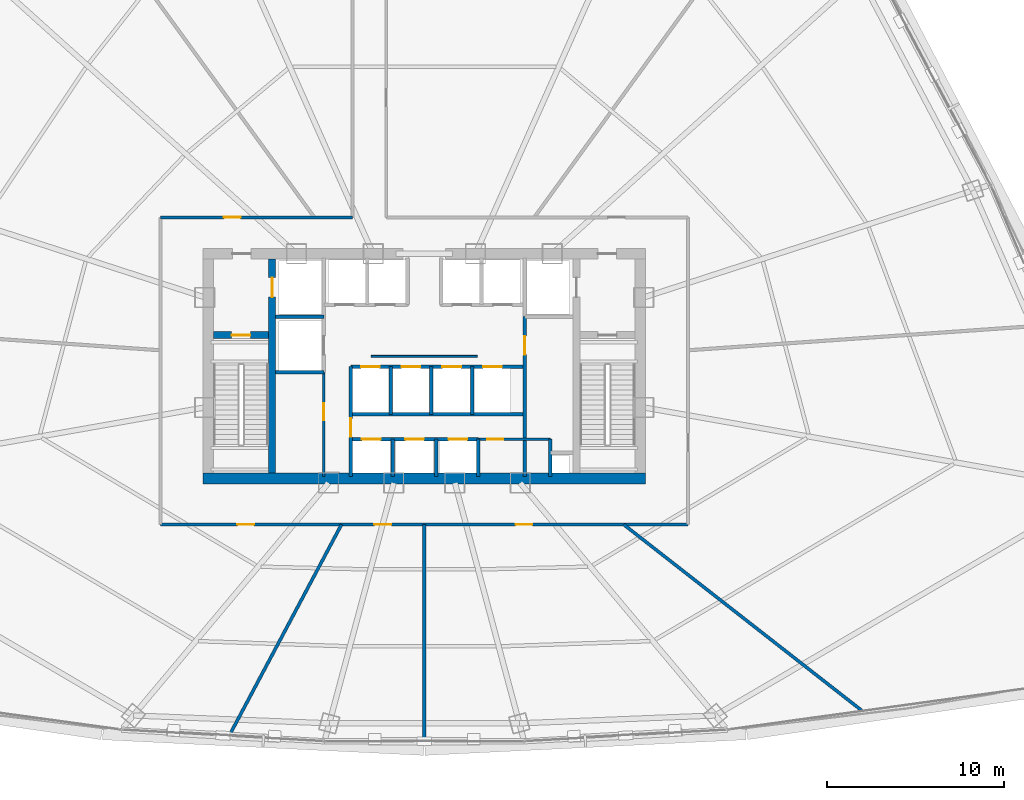
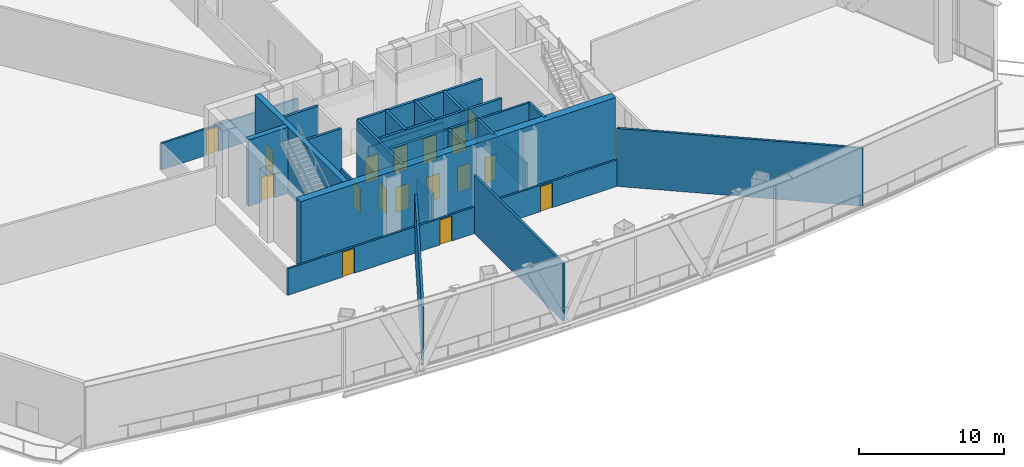
# One storey, part 28 of 36: 25 walls, 17 doors, 17 openings.
"""IFC4 building model written with IfcOpenShell, lengths in metres."""

import ifcopenshell
import ifcopenshell.guid

model = None  # the IFC model being written
_history = None  # IfcOwnerHistory: only IFC2X3 demands one
_inside = {}  # id of a spatial element -> (the spatial element, [elements in it])
_under = {}  # id of a project, library or spatial element -> (it, [spatial elements below it])
_declared = {}  # id of a project -> (the project, [libraries it declares])
_typed = {}  # id of a type object -> (the type object, [elements of that type])
_made_of = {}  # id of a material, layer set ... -> (it, [elements and type objects made of it])


def new_model(schema):
    """Start an empty IFC model of exactly this schema.

    Asked for "IFC4X3", IfcOpenShell would pick the latest addendum, in which some entities
    have other attributes; the version numbers below select the first issue.
    IFC2X3 requires an IfcOwnerHistory on every rooted entity: one is made here for all.
    """
    global model, _history
    if schema == "IFC4X3":
        model = ifcopenshell.file(schema_version=(4, 3, 0, 0))
    else:
        model = ifcopenshell.file(schema=schema)
    _inside.clear()
    _under.clear()
    _declared.clear()
    _typed.clear()
    _made_of.clear()
    _history = None
    if model.schema == "IFC2X3":
        org = make("IfcOrganization", Name="unknown")
        user = make(
            "IfcPersonAndOrganization",
            ThePerson=make("IfcPerson", FamilyName="unknown"),
            TheOrganization=org,
        )
        app = make(
            "IfcApplication",
            ApplicationDeveloper=org,
            Version="unknown",
            ApplicationFullName="unknown",
            ApplicationIdentifier="unknown",
        )
        _history = make(
            "IfcOwnerHistory",
            OwningUser=user,
            OwningApplication=app,
            ChangeAction="ADDED",
            CreationDate=0,
        )
    return model


def make(cls, **values):
    """One entity of the class cls with the attributes given. An attribute that is None is left unset."""
    return model.create_entity(
        cls, **{name: value for name, value in values.items() if value is not None}
    )


def rooted(cls, **values):
    """An entity with a GlobalId (a new one), such as an element, a storey or a relation."""
    return make(cls, GlobalId=ifcopenshell.guid.new(), OwnerHistory=_history, **values)


def si_unit(unit_type, name, prefix=None):
    """IfcSIUnit, for example si_unit("LENGTHUNIT", "METRE", prefix="MILLI")."""
    return make("IfcSIUnit", UnitType=unit_type, Prefix=prefix, Name=name)


def assignment(units):
    """IfcUnitAssignment: the units of a project."""
    return None if units is None else make("IfcUnitAssignment", Units=units)


def point(xyz):
    """IfcCartesianPoint."""
    return None if xyz is None else make("IfcCartesianPoint", Coordinates=xyz)


def direction(xyz):
    """IfcDirection."""
    return None if xyz is None else make("IfcDirection", DirectionRatios=xyz)


def frame(location, z_axis=None, x_axis=None):
    """IfcAxis2Placement3D, a coordinate frame: its origin and axes. An axis left out is left unset."""
    return make(
        "IfcAxis2Placement3D",
        Location=point(location),
        Axis=direction(z_axis),
        RefDirection=direction(x_axis),
    )


def frame_2d(location, x_axis=None):
    """IfcAxis2Placement2D, a coordinate frame in the plane: its origin and x axis."""
    return make(
        "IfcAxis2Placement2D", Location=point(location), RefDirection=direction(x_axis)
    )


def origin():
    """The frame at (0, 0, 0) with its axes left unset."""
    return frame((0.0, 0.0, 0.0))


def origin_with_axes():
    """The frame at (0, 0, 0) with the z axis (0, 0, 1) and the x axis (1, 0, 0) written out."""
    return frame((0.0, 0.0, 0.0), z_axis=(0.0, 0.0, 1.0), x_axis=(1.0, 0.0, 0.0))


def place(relative_to, where):
    """IfcLocalPlacement: puts the frame where relative to a parent placement (None: the world)."""
    return make(
        "IfcLocalPlacement", PlacementRelTo=relative_to, RelativePlacement=where
    )


def context(
    kind, dimensions, precision=None, world=None, true_north=None, identifier=None
):
    """IfcGeometricRepresentationContext, for example the 3D "Model" context."""
    return make(
        "IfcGeometricRepresentationContext",
        ContextIdentifier=identifier,
        ContextType=kind,
        CoordinateSpaceDimension=dimensions,
        Precision=precision,
        WorldCoordinateSystem=world,
        TrueNorth=true_north,
    )


def subcontext(parent, identifier, kind, view, scale=None):
    """IfcGeometricRepresentationSubContext, for example "Body" below "Model"."""
    return make(
        "IfcGeometricRepresentationSubContext",
        ContextIdentifier=identifier,
        ContextType=kind,
        ParentContext=parent,
        TargetScale=scale,
        TargetView=view,
    )


def project(units=None, contexts=None):
    """IfcProject with its units and contexts."""
    return rooted(
        "IfcProject",
        Name="project",
        RepresentationContexts=contexts,
        UnitsInContext=assignment(units),
    )


def spatial(cls, under=None, at=None, **own):
    """A site, building, storey or space (cls), placed at a placement, below another one or the project."""
    s = rooted(cls, ObjectPlacement=at, **own)
    if under is not None:
        _under.setdefault(under.id(), (under, []))[1].append(s)
    return s


def profile(cls, at=None, kind="AREA", **sizes):
    """A parametric profile (cls). Its sizes go by their IFC names, for example OverallWidth=200.0."""
    return make(cls, ProfileType=kind, Position=at, **sizes)


def rectangle(**sizes):
    """IfcRectangleProfileDef."""
    return profile("IfcRectangleProfileDef", **sizes)


def extrude(swept, where, along, depth):
    """IfcExtrudedAreaSolid: the profile swept, set in the frame where, extruded along a direction by depth."""
    return make(
        "IfcExtrudedAreaSolid",
        SweptArea=swept,
        Position=where,
        ExtrudedDirection=direction(along),
        Depth=depth,
    )


def shape(context_of_items, identifier, shape_type, items):
    """IfcShapeRepresentation: the items that make up one representation, for example the "Body"."""
    return make(
        "IfcShapeRepresentation",
        ContextOfItems=context_of_items,
        RepresentationIdentifier=identifier,
        RepresentationType=shape_type,
        Items=items,
    )


def source(mapping_origin, context_of_items, identifier, shape_type, items):
    """IfcRepresentationMap: a shape defined once, which mapped items show again and again."""
    return make(
        "IfcRepresentationMap",
        MappingOrigin=mapping_origin,
        MappedRepresentation=shape(context_of_items, identifier, shape_type, items),
    )


def transform(
    local_origin,
    x_axis=None,
    y_axis=None,
    z_axis=None,
    scale=None,
    scale2=None,
    scale3=None,
    uniform=True,
):
    """IfcCartesianTransformationOperator3D, or its non-uniform kind. x_axis, y_axis, z_axis: its Axis1, 2, 3."""
    if uniform:
        return make(
            "IfcCartesianTransformationOperator3D",
            Axis1=direction(x_axis),
            Axis2=direction(y_axis),
            LocalOrigin=point(local_origin),
            Scale=scale,
            Axis3=direction(z_axis),
        )
    return make(
        "IfcCartesianTransformationOperator3DnonUniform",
        Axis1=direction(x_axis),
        Axis2=direction(y_axis),
        LocalOrigin=point(local_origin),
        Scale=scale,
        Axis3=direction(z_axis),
        Scale2=scale2,
        Scale3=scale3,
    )


def mapped(mapping_source, mapping_target):
    """IfcMappedItem: shows the shape of a source again, moved by a transform."""
    return make(
        "IfcMappedItem", MappingSource=mapping_source, MappingTarget=mapping_target
    )


def material(Name=None, Category=None):
    """IfcMaterial."""
    return make("IfcMaterial", Name=Name, Category=Category)


def layer(
    of_material, thickness, ventilated=None, Name=None, Category=None, Priority=None
):
    """IfcMaterialLayer: one layer of a wall or slab, of a material (None: an air gap)."""
    return make(
        "IfcMaterialLayer",
        Material=of_material,
        LayerThickness=thickness,
        IsVentilated=ventilated,
        Name=Name,
        Category=Category,
        Priority=Priority,
    )


def layer_set(layers, Name=None):
    """IfcMaterialLayerSet."""
    return make("IfcMaterialLayerSet", MaterialLayers=layers, LayerSetName=Name)


def made_of(thing, what):
    """Note that an element or type object is made of a material, layer set ...; save() writes the relation."""
    if what is not None:
        _made_of.setdefault(what.id(), (what, []))[1].append(thing)
    return thing


def type_object(cls, material=None, **own):
    """A type object (cls), such as IfcWallType, which elements share."""
    return made_of(rooted(cls, **own), material)


def element(
    cls,
    number,
    at=None,
    inside=None,
    cuts=None,
    type_object=None,
    material=None,
    context=None,
    identifier="Body",
    shape_type=None,
    held_by="IfcProductDefinitionShape",
    body=None,
    shapes=None,
    **own,
):
    """One element of the class cls, such as IfcWall. Its Tag is "e" and its number.

    at: its placement. inside: the storey or other place that contains it. cuts: it is an
    opening in that element (IfcRelVoidsElement). A single representation is given by context,
    identifier, shape_type and body (its items); several are given by shapes. held_by: the class
    of the entity that holds the representations. save() writes the other relations.
    """
    e = rooted(cls, Tag="e%d" % number, ObjectPlacement=at, **own)
    if body is not None:
        shapes = [shape(context, identifier, shape_type, body)]
    if shapes is not None:
        e.Representation = make(held_by, Representations=shapes)
    if inside is not None:
        _inside.setdefault(inside.id(), (inside, []))[1].append(e)
    if cuts is not None:
        rooted(
            "IfcRelVoidsElement", RelatingBuildingElement=cuts, RelatedOpeningElement=e
        )
    if type_object is not None:
        _typed.setdefault(type_object.id(), (type_object, []))[1].append(e)
    return made_of(e, material)


def fill(opening, filler):
    """IfcRelFillsElement: the door or window that sits in an opening."""
    return rooted(
        "IfcRelFillsElement",
        RelatingOpeningElement=opening,
        RelatedBuildingElement=filler,
    )


def aggregate(whole, parts):
    """IfcRelAggregates: a whole, such as a stair, and the parts it consists of."""
    return rooted("IfcRelAggregates", RelatingObject=whole, RelatedObjects=parts)


def save(model, path):
    """Write the relations noted so far, then the file.

    IfcRelAggregates (storeys below a building ...), IfcRelContainedInSpatialStructure (elements
    in a storey), IfcRelDefinesByType, IfcRelAssociatesMaterial and IfcRelDeclares: one each for
    every whole, place, type object, material and project.
    """
    for whole, parts in _under.values():
        aggregate(whole, parts)
    for where, things in _inside.values():
        rooted(
            "IfcRelContainedInSpatialStructure",
            RelatedElements=things,
            RelatingStructure=where,
        )
    for kind, things in _typed.values():
        rooted("IfcRelDefinesByType", RelatedObjects=things, RelatingType=kind)
    for what, things in _made_of.values():
        rooted("IfcRelAssociatesMaterial", RelatedObjects=things, RelatingMaterial=what)
    for by, libraries in _declared.values():
        rooted("IfcRelDeclares", RelatingContext=by, RelatedDefinitions=libraries)
    model.write(path)


model = new_model("IFC4")

# Units and contexts
model_context = context("Model", 3, precision=1e-05, world=origin(), true_north=direction((0.0, 1.0)))
body_context = subcontext(model_context, "Body", "Model", "MODEL_VIEW")
ifc_project = project(units=[si_unit("LENGTHUNIT", "METRE"), si_unit("AREAUNIT", "SQUARE_METRE"), si_unit("VOLUMEUNIT", "CUBIC_METRE"), si_unit("PLANEANGLEUNIT", "RADIAN"), si_unit("MASSUNIT", "GRAM", prefix="KILO"), si_unit("THERMODYNAMICTEMPERATUREUNIT", "KELVIN"), si_unit("POWERUNIT", "WATT")], contexts=[model_context])

# Site, building, storey
site_placement = place(None, origin())
site = spatial("IfcSite", under=ifc_project, at=site_placement, CompositionType="ELEMENT")
building_placement = place(site_placement, origin())
building = spatial("IfcBuilding", under=site, at=building_placement, Name="Yunzhuo Pagoda Commons", CompositionType="ELEMENT")
storey_placement = place(building_placement, frame((0.0, 0.0, 119.179931640625)))
storey = spatial("IfcBuildingStorey", under=building, at=storey_placement, Name="L30", CompositionType="ELEMENT", Elevation=119.179931640625)

# Wall
ifc_material_1 = material(Name="Concrete C60", Category="concrete")
ifc_layer_1 = layer(ifc_material_1, 0.60009765625)
ifc_layer_set_1 = layer_set([ifc_layer_1], Name="Concrete C60")
wall_type_1 = type_object("IfcWallType", Name="W-C02 Mid Core Shear Wall 600", PredefinedType="SHEAR", material=ifc_layer_set_1)
wall_1_placement = place(storey_placement, frame((35.5, 27.5, 0.0), z_axis=(0.0, 0.0, 1.0), x_axis=(1.0, 0.0, 0.0)))
element("IfcWall", 1, at=wall_1_placement, inside=storey, type_object=wall_type_1, Name="L30 core shear wall S", PredefinedType="SHEAR", context=body_context, shape_type="SweptSolid", body=[
    extrude(rectangle(XDim=25.0, YDim=0.60009765625, at=frame_2d((12.5, 0.0))), origin(), (0.0, 0.0, 1.0), 5.570068359375),
])

# Wall, opening, door
ifc_material_2 = material(Name="Gypsum plasterboard on acoustic stud")
ifc_layer_2 = layer(ifc_material_2, 0.159912109375)
ifc_layer_set_2 = layer_set([ifc_layer_2], Name="Gypsum plasterboard on acoustic stud")
wall_type_2 = type_object("IfcWallType", Name="W-COR1 Tower Rated Corridor Wall 160", PredefinedType="PARTITIONING", material=ifc_layer_set_2)
wall_2_placement = place(storey_placement, frame((42.320068359375, 27.60009765625, 0.0), z_axis=(0.0, 0.0, 1.0), x_axis=(0.0, 1.0, 0.0)))
wall_2 = element("IfcWall", 2, at=wall_2_placement, inside=storey, type_object=wall_type_2, Name="L30 interior wall IW-L30-CSWE", PredefinedType="PARTITIONING", context=body_context, shape_type="SweptSolid", body=[
    extrude(rectangle(XDim=5.89990234375, YDim=0.159912109375, at=frame_2d((2.949951171875, 0.0))), origin(), (0.0, 0.0, 1.0), 2.219970703125),
])
opening_1_placement = place(wall_2_placement, frame((3.199951171875, 0.0, 0.0)))
opening_1 = element("IfcOpeningElement", 3, at=opening_1_placement, cuts=wall_2, Name="Opening D-11", PredefinedType="OPENING", context=body_context, shape_type="SweptSolid", body=[
    extrude(rectangle(XDim=0.93994140625, YDim=2.10009765625, at=frame_2d((0.469970703125, 1.050048828125))), frame((0.0, 0.08984375, 0.0), z_axis=(0.0, -1.0, 0.0), x_axis=(1.0, 0.0, 0.0)), (0.0, 0.0, 1.0), 0.179931640625),
])
ifc_material_3 = material(Name="Galvanized fire-resisting metal leaf")
door_type_1 = type_object("IfcDoorType", Name="D-11 Accessible Washroom Fire Door 940x2100", OperationType="NOTDEFINED", PredefinedType="DOOR", material=ifc_material_3)
shared_shape_1 = source(origin(), body_context, "Body", "SweptSolid", [
    extrude(rectangle(XDim=0.93994140625, YDim=2.10009765625, at=frame_2d((0.469970703125, 1.050048828125))), frame((0.0, 0.02490234375, 0.0), z_axis=(0.0, -1.0, 0.0), x_axis=(1.0, 0.0, 0.0)), (0.0, 0.0, 1.0), 0.050048828125),
])
door_1_placement = place(opening_1_placement, origin_with_axes())
door_1 = element("IfcDoor", 4, at=door_1_placement, inside=storey, type_object=door_type_1, Name="L30 core WC door", OperationType="SINGLE_SWING_LEFT", OverallHeight=2.10009765625, OverallWidth=0.93994140625, PredefinedType="DOOR", context=body_context, shape_type="MappedRepresentation", body=[
    mapped(shared_shape_1, transform((0.0, 0.0, 0.0), scale=1.0)),
])
fill(opening_1, door_1)

wall_3_placement = place(storey_placement, frame((51.050048828125, 29.719970703125, 0.0), z_axis=(0.0, 0.0, 1.0), x_axis=(1.0, 0.0, 0.0)))
wall_3 = element("IfcWall", 5, at=wall_3_placement, inside=storey, type_object=wall_type_2, Name="L30 interior wall IW-L30-CSES", PredefinedType="PARTITIONING", context=body_context, shape_type="SweptSolid", body=[
    extrude(rectangle(XDim=4.070068359375, YDim=0.159912109375, at=frame_2d((2.03515625, 0.0))), origin(), (0.0, 0.0, 1.0), 5.570068359375),
])
opening_2_placement = place(wall_3_placement, frame((0.5, 0.0, 0.0)))
opening_2 = element("IfcOpeningElement", 6, at=opening_2_placement, cuts=wall_3, Name="Opening D-03", PredefinedType="OPENING", context=body_context, shape_type="SweptSolid", body=[
    extrude(rectangle(XDim=0.89990234375, YDim=2.10009765625, at=frame_2d((0.449951171875, 1.050048828125))), frame((0.0, 0.08984375, 0.0), z_axis=(0.0, -1.0, 0.0), x_axis=(1.0, 0.0, 0.0)), (0.0, 0.0, 1.0), 0.179931640625),
])
door_type_2 = type_object("IfcDoorType", Name="D-03 Core Service Fire Door 900x2100", OperationType="NOTDEFINED", PredefinedType="DOOR", material=ifc_material_3)
shared_shape_2 = source(origin(), body_context, "Body", "SweptSolid", [
    extrude(rectangle(XDim=0.89990234375, YDim=2.10009765625, at=frame_2d((0.449951171875, 1.050048828125))), frame((0.0, 0.02490234375, 0.0), z_axis=(0.0, -1.0, 0.0), x_axis=(1.0, 0.0, 0.0)), (0.0, 0.0, 1.0), 0.050048828125),
])
door_2_placement = place(opening_2_placement, origin_with_axes())
door_2 = element("IfcDoor", 7, at=door_2_placement, inside=storey, type_object=door_type_2, Name="L30 cleaner store door", OperationType="SINGLE_SWING_LEFT", OverallHeight=2.10009765625, OverallWidth=0.89990234375, PredefinedType="DOOR", context=body_context, shape_type="MappedRepresentation", body=[
    mapped(shared_shape_2, transform((0.0, 0.0, 0.0), scale=1.0)),
])
fill(opening_2, door_2)

# Wall, openings, doors
wall_4_placement = place(storey_placement, frame((62.89990234375, 24.89990234375, 0.0), z_axis=(0.0, 0.0, 1.0), x_axis=(-1.0, 0.0, 0.0)))
wall_4 = element("IfcWall", 8, at=wall_4_placement, inside=storey, type_object=wall_type_2, Name="L30 interior wall IW-L30-SCW04", PredefinedType="PARTITIONING", context=body_context, shape_type="SweptSolid", body=[
    extrude(rectangle(XDim=29.7998046875, YDim=0.159912109375, at=frame_2d((14.89990234375, 0.0))), origin(), (0.0, 0.0, 1.0), 2.219970703125),
])
opening_3_placement = place(wall_4_placement, frame((24.514404296875, 0.0, 0.0)))
opening_3 = element("IfcOpeningElement", 9, at=opening_3_placement, cuts=wall_4, Name="Opening D-06", PredefinedType="OPENING", context=body_context, shape_type="SweptSolid", body=[
    extrude(rectangle(XDim=0.949951171875, YDim=2.10009765625, at=frame_2d((0.47509765625, 1.050048828125))), frame((0.0, 0.08984375, 0.0), z_axis=(0.0, -1.0, 0.0), x_axis=(1.0, 0.0, 0.0)), (0.0, 0.0, 1.0), 0.179931640625),
])
opening_4_placement = place(wall_4_placement, frame((16.764404296875, 0.0, 0.0)))
opening_4 = element("IfcOpeningElement", 10, at=opening_4_placement, cuts=wall_4, Name="Opening D-06", PredefinedType="OPENING", context=body_context, shape_type="SweptSolid", body=[
    extrude(rectangle(XDim=0.949951171875, YDim=2.10009765625, at=frame_2d((0.47509765625, 1.050048828125))), frame((0.0, 0.08984375, 0.0), z_axis=(0.0, -1.0, 0.0), x_axis=(1.0, 0.0, 0.0)), (0.0, 0.0, 1.0), 0.179931640625),
])
opening_5_placement = place(wall_4_placement, frame((8.793212890625, 0.0, 0.0)))
opening_5 = element("IfcOpeningElement", 11, at=opening_5_placement, cuts=wall_4, Name="Opening D-06", PredefinedType="OPENING", context=body_context, shape_type="SweptSolid", body=[
    extrude(rectangle(XDim=0.949951171875, YDim=2.10009765625, at=frame_2d((0.47509765625, 1.050048828125))), frame((0.0, 0.08984375, 0.0), z_axis=(0.0, -1.0, 0.0), x_axis=(1.0, 0.0, 0.0)), (0.0, 0.0, 1.0), 0.179931640625),
])
door_type_3 = type_object("IfcDoorType", Name="D-06 Co-Living Suite Entrance Fire Door 950x2100", OperationType="NOTDEFINED", PredefinedType="DOOR", material=ifc_material_3)
shared_shape_3 = source(origin(), body_context, "Body", "SweptSolid", [
    extrude(rectangle(XDim=0.949951171875, YDim=2.10009765625, at=frame_2d((0.47509765625, 1.050048828125))), frame((0.0, 0.02490234375, 0.0), z_axis=(0.0, -1.0, 0.0), x_axis=(1.0, 0.0, 0.0)), (0.0, 0.0, 1.0), 0.050048828125),
])
door_3_placement = place(opening_3_placement, origin_with_axes())
door_3 = element("IfcDoor", 12, at=door_3_placement, inside=storey, type_object=door_type_3, Name="L30 Academic Study Workroom door", OperationType="SINGLE_SWING_RIGHT", OverallHeight=2.10009765625, OverallWidth=0.949951171875, PredefinedType="DOOR", context=body_context, shape_type="MappedRepresentation", body=[
    mapped(shared_shape_3, transform((0.0, 0.0, 0.0), scale=1.0)),
])
fill(opening_3, door_3)
door_4_placement = place(opening_4_placement, origin_with_axes())
door_4 = element("IfcDoor", 13, at=door_4_placement, inside=storey, type_object=door_type_3, Name="L30 Reading and Tea Lounge door", OperationType="SINGLE_SWING_LEFT", OverallHeight=2.10009765625, OverallWidth=0.949951171875, PredefinedType="DOOR", context=body_context, shape_type="MappedRepresentation", body=[
    mapped(shared_shape_3, transform((0.0, 0.0, 0.0), scale=1.0)),
])
fill(opening_4, door_4)
door_5_placement = place(opening_5_placement, origin_with_axes())
door_5 = element("IfcDoor", 14, at=door_5_placement, inside=storey, type_object=door_type_3, Name="L30 Sky Lobby Study Lounge door", OperationType="SINGLE_SWING_RIGHT", OverallHeight=2.10009765625, OverallWidth=0.949951171875, PredefinedType="DOOR", context=body_context, shape_type="MappedRepresentation", body=[
    mapped(shared_shape_3, transform((0.0, 0.0, 0.0), scale=1.0)),
])
fill(opening_5, door_5)

# Wall, opening, door
wall_5_placement = place(storey_placement, frame((33.10009765625, 42.25, 0.0), z_axis=(0.0, 0.0, 1.0), x_axis=(1.0, 0.0, 0.0)))
wall_5 = element("IfcWall", 15, at=wall_5_placement, inside=storey, type_object=wall_type_2, Name="L30 interior wall IW-L30-SCW06", PredefinedType="PARTITIONING", context=body_context, shape_type="SweptSolid", body=[
    extrude(rectangle(XDim=10.849853515625, YDim=0.159912109375, at=frame_2d((5.4248046875, 0.0))), origin(), (0.0, 0.0, 1.0), 2.219970703125),
])
opening_6_placement = place(wall_5_placement, frame((3.569091796875, 0.0, 0.0)))
opening_6 = element("IfcOpeningElement", 16, at=opening_6_placement, cuts=wall_5, Name="Opening D-06", PredefinedType="OPENING", context=body_context, shape_type="SweptSolid", body=[
    extrude(rectangle(XDim=0.949951171875, YDim=2.10009765625, at=frame_2d((0.47509765625, 1.050048828125))), frame((0.0, 0.08984375, 0.0), z_axis=(0.0, -1.0, 0.0), x_axis=(1.0, 0.0, 0.0)), (0.0, 0.0, 1.0), 0.179931640625),
])
door_6_placement = place(opening_6_placement, origin_with_axes())
door_6 = element("IfcDoor", 17, at=door_6_placement, inside=storey, type_object=door_type_3, Name="L30 Shared Communal Kitchen and Pantry door", OperationType="SINGLE_SWING_LEFT", OverallHeight=2.10009765625, OverallWidth=0.949951171875, PredefinedType="DOOR", context=body_context, shape_type="MappedRepresentation", body=[
    mapped(shared_shape_3, transform((0.0, 0.0, 0.0), scale=1.0)),
])
fill(opening_6, door_6)

# Walls
ifc_material_4 = material(Name="Anodized aluminium 6063-T6", Category="aluminium")
ifc_layer_3 = layer(ifc_material_4, 0.110107421875)
ifc_layer_set_3 = layer_set([ifc_layer_3], Name="Anodized aluminium 6063-T6")
wall_type_3 = type_object("IfcWallType", Name="W-MOV1 Operable Seminar Partition 110", PredefinedType="MOVABLE", material=ifc_layer_set_3)
wall_6_placement = place(storey_placement, frame((45.0, 34.39990234375, 0.0), z_axis=(0.0, 0.0, 1.0), x_axis=(1.0, 0.0, 0.0)))
element("IfcWall", 18, at=wall_6_placement, inside=storey, type_object=wall_type_3, Name="L30 acoustic movable lobby screen", PredefinedType="MOVABLE", context=body_context, shape_type="SweptSolid", body=[
    extrude(rectangle(XDim=6.0, YDim=0.110107421875, at=frame_2d((3.0, 0.0))), origin(), (0.0, 0.0, 1.0), 2.5),
])
ifc_layer_4 = layer(ifc_material_2, 0.179931640625)
ifc_layer_set_4 = layer_set([ifc_layer_4], Name="Gypsum plasterboard on acoustic stud")
wall_type_4 = type_object("IfcWallType", Name="W-PRT2 Acoustic Unit Demising Wall 180", PredefinedType="PARTITIONING", material=ifc_layer_set_4)
wall_7_placement = place(storey_placement, frame((43.321044921875, 24.89990234375, 0.0), z_axis=(0.0, 0.0, 1.0), x_axis=(-0.46948390868, -0.88294102832, 0.0)))
element("IfcWall", 19, at=wall_7_placement, inside=storey, type_object=wall_type_4, Name="L30 interior wall IW-L30-SRAD5", PredefinedType="PARTITIONING", context=body_context, shape_type="SweptSolid", body=[
    extrude(rectangle(XDim=13.521484375, YDim=0.179931640625, at=frame_2d((6.7607421875, 0.0))), origin(), (0.0, 0.0, 1.0), 4.8701171875),
])
wall_8_placement = place(storey_placement, frame((48.0, 24.89990234375, 0.0), z_axis=(0.0, 0.0, 1.0), x_axis=(0.0, -1.0, 0.0)))
element("IfcWall", 20, at=wall_8_placement, inside=storey, type_object=wall_type_4, Name="L30 interior wall IW-L30-SRAD6", PredefinedType="PARTITIONING", context=body_context, shape_type="SweptSolid", body=[
    extrude(rectangle(XDim=12.24560546875, YDim=0.179931640625, at=frame_2d((6.122802734375, 0.0))), origin(), (0.0, 0.0, 1.0), 4.8701171875),
])
wall_9_placement = place(storey_placement, frame((59.263427734375, 24.89990234375, 0.0), z_axis=(0.0, 0.0, 1.0), x_axis=(0.788013994076, -0.615657327692, 0.0)))
element("IfcWall", 21, at=wall_9_placement, inside=storey, type_object=wall_type_4, Name="L30 interior wall IW-L30-SRAD7", PredefinedType="PARTITIONING", context=body_context, shape_type="SweptSolid", body=[
    extrude(rectangle(XDim=17.11669921875, YDim=0.179931640625, at=frame_2d((8.558349609375, 0.0))), origin(), (0.0, 0.0, 1.0), 4.8701171875),
])

# Wall, opening, door
ifc_layer_5 = layer(ifc_material_1, 0.39990234375)
ifc_layer_set_5 = layer_set([ifc_layer_5], Name="Concrete C60")
wall_type_5 = type_object("IfcWallType", Name="W-S01 Internal Core Shear Web 400", PredefinedType="SHEAR", material=ifc_layer_set_5)
wall_10_placement = place(storey_placement, frame((39.39990234375, 27.800048828125, 0.0), z_axis=(0.0, 0.0, 1.0), x_axis=(0.0, 1.0, 0.0)))
wall_10 = element("IfcWall", 22, at=wall_10_placement, inside=storey, type_object=wall_type_5, Name="L30 core shear wall WEBW", PredefinedType="SHEAR", context=body_context, shape_type="SweptSolid", body=[
    extrude(rectangle(XDim=12.099853515625, YDim=0.39990234375, at=frame_2d((6.0498046875, 0.0))), origin(), (0.0, 0.0, 1.0), 5.570068359375),
])
opening_7_placement = place(wall_10_placement, frame((9.949951171875, 0.0, 0.0)))
opening_7 = element("IfcOpeningElement", 23, at=opening_7_placement, cuts=wall_10, Name="Opening LD-01", PredefinedType="OPENING", context=body_context, shape_type="SweptSolid", body=[
    extrude(rectangle(XDim=1.10009765625, YDim=2.10009765625, at=frame_2d((0.550048828125, 1.050048828125))), frame((0.0, 0.2099609375, 0.0), z_axis=(0.0, -1.0, 0.0), x_axis=(1.0, 0.0, 0.0)), (0.0, 0.0, 1.0), 0.419921875),
])
door_type_4 = type_object("IfcDoorType", Name="LD-01 Firefighting Lift Landing Door 1100x2100", OperationType="DOUBLE_DOOR_SLIDING", PredefinedType="DOOR", material=ifc_material_3)
shared_shape_4 = source(origin(), body_context, "Body", "SweptSolid", [
    extrude(rectangle(XDim=1.10009765625, YDim=2.10009765625, at=frame_2d((0.550048828125, 1.050048828125))), frame((0.0, 0.02490234375, 0.0), z_axis=(0.0, -1.0, 0.0), x_axis=(1.0, 0.0, 0.0)), (0.0, 0.0, 1.0), 0.050048828125),
])
door_7_placement = place(opening_7_placement, frame((1.10009765625, 0.0, 0.0), z_axis=(0.0, 0.0, 1.0), x_axis=(-1.0, 0.0, 0.0)))
door_7 = element("IfcDoor", 24, at=door_7_placement, inside=storey, type_object=door_type_4, Name="L30 Firefighting lift FL-1 landing door", OperationType="DOUBLE_DOOR_SLIDING", OverallHeight=2.10009765625, OverallWidth=1.10009765625, PredefinedType="DOOR", context=body_context, shape_type="MappedRepresentation", body=[
    mapped(shared_shape_4, transform((0.0, 0.0, 0.0), scale=1.0)),
])
fill(opening_7, door_7)

wall_11_placement = place(storey_placement, frame((36.10009765625, 35.60009765625, 0.0), z_axis=(0.0, 0.0, 1.0), x_axis=(1.0, 0.0, 0.0)))
wall_11 = element("IfcWall", 25, at=wall_11_placement, inside=storey, type_object=wall_type_5, Name="L30 core shear wall STW", PredefinedType="SHEAR", context=body_context, shape_type="SweptSolid", body=[
    extrude(rectangle(XDim=3.099853515625, YDim=0.39990234375, at=frame_2d((1.5498046875, 0.0))), origin(), (0.0, 0.0, 1.0), 5.570068359375),
])
opening_8_placement = place(wall_11_placement, frame((1.02001953125, 0.0, 0.0)))
opening_8 = element("IfcOpeningElement", 26, at=opening_8_placement, cuts=wall_11, Name="Opening D-01", PredefinedType="OPENING", context=body_context, shape_type="SweptSolid", body=[
    extrude(rectangle(XDim=1.050048828125, YDim=2.10009765625, at=frame_2d((0.52490234375, 1.050048828125))), frame((0.0, 0.2099609375, 0.0), z_axis=(0.0, -1.0, 0.0), x_axis=(1.0, 0.0, 0.0)), (0.0, 0.0, 1.0), 0.419921875),
])
door_type_5 = type_object("IfcDoorType", Name="D-01 Smokeproof Stair Fire Door 1050x2100", OperationType="NOTDEFINED", PredefinedType="DOOR", material=ifc_material_3)
shared_shape_5 = source(origin(), body_context, "Body", "SweptSolid", [
    extrude(rectangle(XDim=1.050048828125, YDim=2.10009765625, at=frame_2d((0.52490234375, 1.050048828125))), frame((0.0, 0.02490234375, 0.0), z_axis=(0.0, -1.0, 0.0), x_axis=(1.0, 0.0, 0.0)), (0.0, 0.0, 1.0), 0.050048828125),
])
door_8_placement = place(opening_8_placement, frame((1.050048828125, 0.0, 0.0), z_axis=(0.0, 0.0, 1.0), x_axis=(-1.0, 0.0, 0.0)))
door_8 = element("IfcDoor", 27, at=door_8_placement, inside=storey, type_object=door_type_5, Name="L30 Stair ST1 fire door", OperationType="SINGLE_SWING_LEFT", OverallHeight=2.10009765625, OverallWidth=1.050048828125, PredefinedType="DOOR", context=body_context, shape_type="MappedRepresentation", body=[
    mapped(shared_shape_5, transform((0.0, 0.0, 0.0), scale=1.0)),
])
fill(opening_8, door_8)

# Walls
ifc_material_5 = material(Name="Concrete C40", Category="concrete")
ifc_layer_6 = layer(ifc_material_5, 0.199951171875)
ifc_layer_set_6 = layer_set([ifc_layer_6], Name="Concrete C40")
wall_type_6 = type_object("IfcWallType", Name="W-SHF Shaft & Stair Enclosure Wall 200", PredefinedType="SOLIDWALL", material=ifc_layer_set_6)
for number, where, z_axis, x_axis, name in (
    (28, (39.60009765625, 36.64990234375, 0.0), (0.0, 0.0, 1.0), (1.0, 0.0, 0.0), "L30 interior wall IW-L30-FL1S"),
    (29, (39.60009765625, 33.5, 0.0), (0.0, 0.0, 1.0), (1.0, 0.0, 0.0), "L30 interior wall IW-L30-SL1S"),
):
    element("IfcWall", number, at=place(storey_placement, frame(where, z_axis=z_axis, x_axis=x_axis)), inside=storey, type_object=wall_type_6, Name=name, PredefinedType="SOLIDWALL", context=body_context, shape_type="SweptSolid", body=[
        extrude(rectangle(XDim=2.719970703125, YDim=0.199951171875, at=frame_2d((1.35986328125, 0.0))), origin(), (0.0, 0.0, 1.0), 5.570068359375),
    ])

# Wall, openings, doors
wall_12_placement = place(storey_placement, frame((43.85009765625, 33.820068359375, 0.0), z_axis=(0.0, 0.0, 1.0), x_axis=(1.0, 0.0, 0.0)))
wall_12 = element("IfcWall", 30, at=wall_12_placement, inside=storey, type_object=wall_type_6, Name="L30 interior wall IW-L30-MLBS", PredefinedType="SOLIDWALL", context=body_context, shape_type="SweptSolid", body=[
    extrude(rectangle(XDim=9.829833984375, YDim=0.199951171875, at=frame_2d((4.9150390625, 0.0))), origin(), (0.0, 0.0, 1.0), 5.570068359375),
])
opening_9_placement = place(wall_12_placement, frame((0.574951171875, 0.0, 0.0)))
opening_9 = element("IfcOpeningElement", 31, at=opening_9_placement, cuts=wall_12, Name="Opening LD-02", PredefinedType="OPENING", context=body_context, shape_type="SweptSolid", body=[
    extrude(rectangle(XDim=1.050048828125, YDim=2.10009765625, at=frame_2d((0.52490234375, 1.050048828125))), frame((0.0, 0.10986328125, 0.0), z_axis=(0.0, -1.0, 0.0), x_axis=(1.0, 0.0, 0.0)), (0.0, 0.0, 1.0), 0.219970703125),
])
opening_10_placement = place(wall_12_placement, frame((2.875, 0.0, 0.0)))
opening_10 = element("IfcOpeningElement", 32, at=opening_10_placement, cuts=wall_12, Name="Opening LD-02", PredefinedType="OPENING", context=body_context, shape_type="SweptSolid", body=[
    extrude(rectangle(XDim=1.050048828125, YDim=2.10009765625, at=frame_2d((0.52490234375, 1.050048828125))), frame((0.0, 0.10986328125, 0.0), z_axis=(0.0, -1.0, 0.0), x_axis=(1.0, 0.0, 0.0)), (0.0, 0.0, 1.0), 0.219970703125),
])
opening_11_placement = place(wall_12_placement, frame((5.175048828125, 0.0, 0.0)))
opening_11 = element("IfcOpeningElement", 33, at=opening_11_placement, cuts=wall_12, Name="Opening LD-02", PredefinedType="OPENING", context=body_context, shape_type="SweptSolid", body=[
    extrude(rectangle(XDim=1.050048828125, YDim=2.10009765625, at=frame_2d((0.52490234375, 1.050048828125))), frame((0.0, 0.10986328125, 0.0), z_axis=(0.0, -1.0, 0.0), x_axis=(1.0, 0.0, 0.0)), (0.0, 0.0, 1.0), 0.219970703125),
])
opening_12_placement = place(wall_12_placement, frame((7.47509765625, 0.0, 0.0)))
opening_12 = element("IfcOpeningElement", 34, at=opening_12_placement, cuts=wall_12, Name="Opening LD-02", PredefinedType="OPENING", context=body_context, shape_type="SweptSolid", body=[
    extrude(rectangle(XDim=1.050048828125, YDim=2.10009765625, at=frame_2d((0.52490234375, 1.050048828125))), frame((0.0, 0.10986328125, 0.0), z_axis=(0.0, -1.0, 0.0), x_axis=(1.0, 0.0, 0.0)), (0.0, 0.0, 1.0), 0.219970703125),
])
door_type_6 = type_object("IfcDoorType", Name="LD-02 Passenger Lift Landing Door 1050x2100", OperationType="DOUBLE_DOOR_SLIDING", PredefinedType="DOOR", material=ifc_material_3)
door_9_placement = place(opening_9_placement, origin_with_axes())
door_9 = element("IfcDoor", 35, at=door_9_placement, inside=storey, type_object=door_type_6, Name="L30 Passenger lift PL-M1 landing door", OperationType="DOUBLE_DOOR_SLIDING", OverallHeight=2.10009765625, OverallWidth=1.050048828125, PredefinedType="DOOR", context=body_context, shape_type="MappedRepresentation", body=[
    mapped(shared_shape_5, transform((0.0, 0.0, 0.0), scale=1.0)),
])
fill(opening_9, door_9)
door_10_placement = place(opening_10_placement, origin_with_axes())
door_10 = element("IfcDoor", 36, at=door_10_placement, inside=storey, type_object=door_type_6, Name="L30 Passenger lift PL-M2 landing door", OperationType="DOUBLE_DOOR_SLIDING", OverallHeight=2.10009765625, OverallWidth=1.050048828125, PredefinedType="DOOR", context=body_context, shape_type="MappedRepresentation", body=[
    mapped(shared_shape_5, transform((0.0, 0.0, 0.0), scale=1.0)),
])
fill(opening_10, door_10)
door_11_placement = place(opening_11_placement, origin_with_axes())
door_11 = element("IfcDoor", 37, at=door_11_placement, inside=storey, type_object=door_type_6, Name="L30 Passenger lift PL-M3 landing door", OperationType="DOUBLE_DOOR_SLIDING", OverallHeight=2.10009765625, OverallWidth=1.050048828125, PredefinedType="DOOR", context=body_context, shape_type="MappedRepresentation", body=[
    mapped(shared_shape_5, transform((0.0, 0.0, 0.0), scale=1.0)),
])
fill(opening_11, door_11)
door_12_placement = place(opening_12_placement, origin_with_axes())
door_12 = element("IfcDoor", 38, at=door_12_placement, inside=storey, type_object=door_type_6, Name="L30 Passenger lift PL-M4 landing door", OperationType="DOUBLE_DOOR_SLIDING", OverallHeight=2.10009765625, OverallWidth=1.050048828125, PredefinedType="DOOR", context=body_context, shape_type="MappedRepresentation", body=[
    mapped(shared_shape_5, transform((0.0, 0.0, 0.0), scale=1.0)),
])
fill(opening_12, door_12)

# Wall, opening, door
wall_13_placement = place(storey_placement, frame((43.85009765625, 27.60009765625, 0.0), z_axis=(0.0, 0.0, 1.0), x_axis=(0.0, 1.0, 0.0)))
wall_13 = element("IfcWall", 39, at=wall_13_placement, inside=storey, type_object=wall_type_6, Name="L30 interior wall IW-L30-PLMW", PredefinedType="SOLIDWALL", context=body_context, shape_type="SweptSolid", body=[
    extrude(rectangle(XDim=6.219970703125, YDim=0.199951171875, at=frame_2d((3.10986328125, 0.0))), origin(), (0.0, 0.0, 1.0), 5.570068359375),
])
opening_13_placement = place(wall_13_placement, frame((2.25, 0.0, 0.0)))
opening_13 = element("IfcOpeningElement", 40, at=opening_13_placement, cuts=wall_13, Name="Opening D-02", PredefinedType="OPENING", context=body_context, shape_type="SweptSolid", body=[
    extrude(rectangle(XDim=1.050048828125, YDim=2.10009765625, at=frame_2d((0.52490234375, 1.050048828125))), frame((0.0, 0.10986328125, 0.0), z_axis=(0.0, -1.0, 0.0), x_axis=(1.0, 0.0, 0.0)), (0.0, 0.0, 1.0), 0.219970703125),
])
door_type_7 = type_object("IfcDoorType", Name="D-02 Firefighting Lobby & Refuge Fire Door 1050x2100", OperationType="NOTDEFINED", PredefinedType="DOOR", material=ifc_material_3)
door_13_placement = place(opening_13_placement, frame((1.050048828125, 0.0, 0.0), z_axis=(0.0, 0.0, 1.0), x_axis=(-1.0, 0.0, 0.0)))
door_13 = element("IfcDoor", 41, at=door_13_placement, inside=storey, type_object=door_type_7, Name="L30 High-bank hall west door", OperationType="SINGLE_SWING_LEFT", OverallHeight=2.10009765625, OverallWidth=1.050048828125, PredefinedType="DOOR", context=body_context, shape_type="MappedRepresentation", body=[
    mapped(shared_shape_5, transform((0.0, 0.0, 0.0), scale=1.0)),
])
fill(opening_13, door_13)

wall_14_placement = place(storey_placement, frame((53.679931640625, 27.60009765625, 0.0), z_axis=(0.0, 0.0, 1.0), x_axis=(0.0, 1.0, 0.0)))
wall_14 = element("IfcWall", 42, at=wall_14_placement, inside=storey, type_object=wall_type_6, Name="L30 interior wall IW-L30-PLME", PredefinedType="SOLIDWALL", context=body_context, shape_type="SweptSolid", body=[
    extrude(rectangle(XDim=9.0498046875, YDim=0.199951171875, at=frame_2d((4.52490234375, 0.0))), origin(), (0.0, 0.0, 1.0), 2.219970703125),
])
opening_14_placement = place(wall_14_placement, frame((6.89990234375, 0.0, 0.0)))
opening_14 = element("IfcOpeningElement", 43, at=opening_14_placement, cuts=wall_14, Name="Opening D-02", PredefinedType="OPENING", context=body_context, shape_type="SweptSolid", body=[
    extrude(rectangle(XDim=1.050048828125, YDim=2.10009765625, at=frame_2d((0.52490234375, 1.050048828125))), frame((0.0, 0.10986328125, 0.0), z_axis=(0.0, -1.0, 0.0), x_axis=(1.0, 0.0, 0.0)), (0.0, 0.0, 1.0), 0.219970703125),
])
door_14_placement = place(opening_14_placement, origin_with_axes())
door_14 = element("IfcDoor", 44, at=door_14_placement, inside=storey, type_object=door_type_7, Name="L30 High-bank lift hall door", OperationType="SINGLE_SWING_RIGHT", OverallHeight=2.10009765625, OverallWidth=1.050048828125, PredefinedType="DOOR", context=body_context, shape_type="MappedRepresentation", body=[
    mapped(shared_shape_5, transform((0.0, 0.0, 0.0), scale=1.0)),
])
fill(opening_14, door_14)

# Walls
for number, where, z_axis, x_axis, name in (
    (45, (46.10009765625, 31.1201171875, 0.0), (0.0, 0.0, 1.0), (0.0, 1.0, 0.0), "L30 interior wall IW-L30-PLMD1"),
    (46, (48.39990234375, 31.1201171875, 0.0), (0.0, 0.0, 1.0), (0.0, 1.0, 0.0), "L30 interior wall IW-L30-PLMD2"),
    (47, (50.699951171875, 31.1201171875, 0.0), (0.0, 0.0, 1.0), (0.0, 1.0, 0.0), "L30 interior wall IW-L30-PLMD3"),
):
    element("IfcWall", number, at=place(storey_placement, frame(where, z_axis=z_axis, x_axis=x_axis)), inside=storey, type_object=wall_type_6, Name=name, PredefinedType="SOLIDWALL", context=body_context, shape_type="SweptSolid", body=[
        extrude(rectangle(XDim=2.699951171875, YDim=0.199951171875, at=frame_2d((1.35009765625, 0.0))), origin(), (0.0, 0.0, 1.0), 5.570068359375),
    ])

# Wall, openings, doors
wall_15_placement = place(storey_placement, frame((43.85009765625, 29.719970703125, 0.0), z_axis=(0.0, 0.0, 1.0), x_axis=(1.0, 0.0, 0.0)))
wall_15 = element("IfcWall", 48, at=wall_15_placement, inside=storey, type_object=wall_type_6, Name="L30 interior wall IW-L30-PLHN", PredefinedType="SOLIDWALL", context=body_context, shape_type="SweptSolid", body=[
    extrude(rectangle(XDim=7.199951171875, YDim=0.199951171875, at=frame_2d((3.60009765625, 0.0))), origin(), (0.0, 0.0, 1.0), 5.570068359375),
])
opening_15_placement = place(wall_15_placement, frame((0.625, 0.0, 0.0)))
opening_15 = element("IfcOpeningElement", 49, at=opening_15_placement, cuts=wall_15, Name="Opening LD-02", PredefinedType="OPENING", context=body_context, shape_type="SweptSolid", body=[
    extrude(rectangle(XDim=1.050048828125, YDim=2.10009765625, at=frame_2d((0.52490234375, 1.050048828125))), frame((0.0, 0.10986328125, 0.0), z_axis=(0.0, -1.0, 0.0), x_axis=(1.0, 0.0, 0.0)), (0.0, 0.0, 1.0), 0.219970703125),
])
opening_16_placement = place(wall_15_placement, frame((3.074951171875, 0.0, 0.0)))
opening_16 = element("IfcOpeningElement", 50, at=opening_16_placement, cuts=wall_15, Name="Opening LD-02", PredefinedType="OPENING", context=body_context, shape_type="SweptSolid", body=[
    extrude(rectangle(XDim=1.050048828125, YDim=2.10009765625, at=frame_2d((0.52490234375, 1.050048828125))), frame((0.0, 0.10986328125, 0.0), z_axis=(0.0, -1.0, 0.0), x_axis=(1.0, 0.0, 0.0)), (0.0, 0.0, 1.0), 0.219970703125),
])
opening_17_placement = place(wall_15_placement, frame((5.52490234375, 0.0, 0.0)))
opening_17 = element("IfcOpeningElement", 51, at=opening_17_placement, cuts=wall_15, Name="Opening LD-02", PredefinedType="OPENING", context=body_context, shape_type="SweptSolid", body=[
    extrude(rectangle(XDim=1.050048828125, YDim=2.10009765625, at=frame_2d((0.52490234375, 1.050048828125))), frame((0.0, 0.10986328125, 0.0), z_axis=(0.0, -1.0, 0.0), x_axis=(1.0, 0.0, 0.0)), (0.0, 0.0, 1.0), 0.219970703125),
])
door_15_placement = place(opening_15_placement, origin_with_axes())
door_15 = element("IfcDoor", 52, at=door_15_placement, inside=storey, type_object=door_type_6, Name="L30 Passenger lift PL-H1 landing door", OperationType="DOUBLE_DOOR_SLIDING", OverallHeight=2.10009765625, OverallWidth=1.050048828125, PredefinedType="DOOR", context=body_context, shape_type="MappedRepresentation", body=[
    mapped(shared_shape_5, transform((0.0, 0.0, 0.0), scale=1.0)),
])
fill(opening_15, door_15)
door_16_placement = place(opening_16_placement, origin_with_axes())
door_16 = element("IfcDoor", 53, at=door_16_placement, inside=storey, type_object=door_type_6, Name="L30 Passenger lift PL-H2 landing door", OperationType="DOUBLE_DOOR_SLIDING", OverallHeight=2.10009765625, OverallWidth=1.050048828125, PredefinedType="DOOR", context=body_context, shape_type="MappedRepresentation", body=[
    mapped(shared_shape_5, transform((0.0, 0.0, 0.0), scale=1.0)),
])
fill(opening_16, door_16)
door_17_placement = place(opening_17_placement, origin_with_axes())
door_17 = element("IfcDoor", 54, at=door_17_placement, inside=storey, type_object=door_type_6, Name="L30 Passenger lift PL-H3 landing door", OperationType="DOUBLE_DOOR_SLIDING", OverallHeight=2.10009765625, OverallWidth=1.050048828125, PredefinedType="DOOR", context=body_context, shape_type="MappedRepresentation", body=[
    mapped(shared_shape_5, transform((0.0, 0.0, 0.0), scale=1.0)),
])
fill(opening_17, door_17)

# Walls
wall_16_placement = place(storey_placement, frame((51.050048828125, 27.60009765625, 0.0), z_axis=(0.0, 0.0, 1.0), x_axis=(0.0, 1.0, 0.0)))
element("IfcWall", 55, at=wall_16_placement, inside=storey, type_object=wall_type_6, Name="L30 interior wall IW-L30-PLHE", PredefinedType="SOLIDWALL", context=body_context, shape_type="SweptSolid", body=[
    extrude(rectangle(XDim=2.119873046875, YDim=0.199951171875, at=frame_2d((1.06005859375, 0.0))), origin(), (0.0, 0.0, 1.0), 5.570068359375),
])
wall_17_placement = place(storey_placement, frame((43.85009765625, 31.1201171875, 0.0), z_axis=(0.0, 0.0, 1.0), x_axis=(1.0, 0.0, 0.0)))
element("IfcWall", 56, at=wall_17_placement, inside=storey, type_object=wall_type_6, Name="L30 interior wall IW-L30-PLMS2", PredefinedType="SOLIDWALL", context=body_context, shape_type="SweptSolid", body=[
    extrude(rectangle(XDim=9.829833984375, YDim=0.199951171875, at=frame_2d((4.9150390625, 0.0))), origin(), (0.0, 0.0, 1.0), 5.570068359375),
])
wall_18_placement = place(storey_placement, frame((46.22509765625, 27.60009765625, 0.0), z_axis=(0.0, 0.0, 1.0), x_axis=(0.0, 1.0, 0.0)))
element("IfcWall", 57, at=wall_18_placement, inside=storey, type_object=wall_type_6, Name="L30 interior wall IW-L30-PLHD1", PredefinedType="SOLIDWALL", context=body_context, shape_type="SweptSolid", body=[
    extrude(rectangle(XDim=2.119873046875, YDim=0.199951171875, at=frame_2d((1.06005859375, 0.0))), origin(), (0.0, 0.0, 1.0), 2.219970703125),
])
for number, where, z_axis, x_axis, name in (
    (58, (48.675048828125, 27.60009765625, 0.0), (0.0, 0.0, 1.0), (0.0, 1.0, 0.0), "L30 interior wall IW-L30-PLHD2"),
    (59, (55.1201171875, 27.60009765625, 0.0), (0.0, 0.0, 1.0), (0.0, 1.0, 0.0), "L30 interior wall IW-L30-RSHFW"),
):
    element("IfcWall", number, at=place(storey_placement, frame(where, z_axis=z_axis, x_axis=x_axis)), inside=storey, type_object=wall_type_6, Name=name, PredefinedType="SOLIDWALL", context=body_context, shape_type="SweptSolid", body=[
        extrude(rectangle(XDim=2.119873046875, YDim=0.199951171875, at=frame_2d((1.06005859375, 0.0))), origin(), (0.0, 0.0, 1.0), 5.570068359375),
    ])

save(model, "model.ifc")
